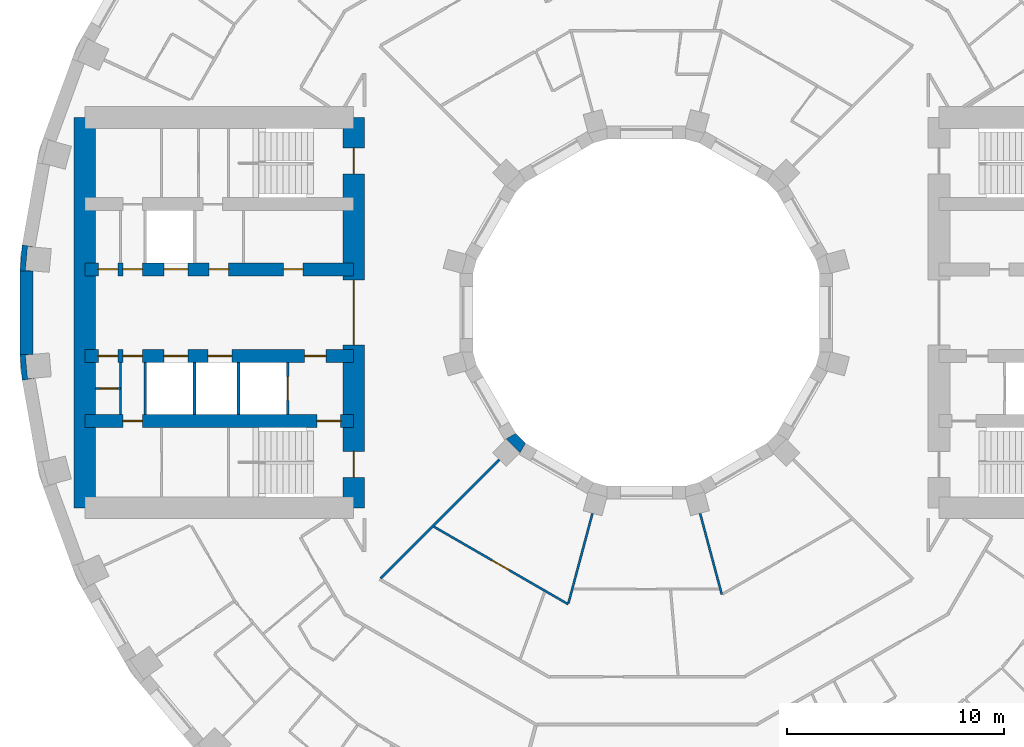
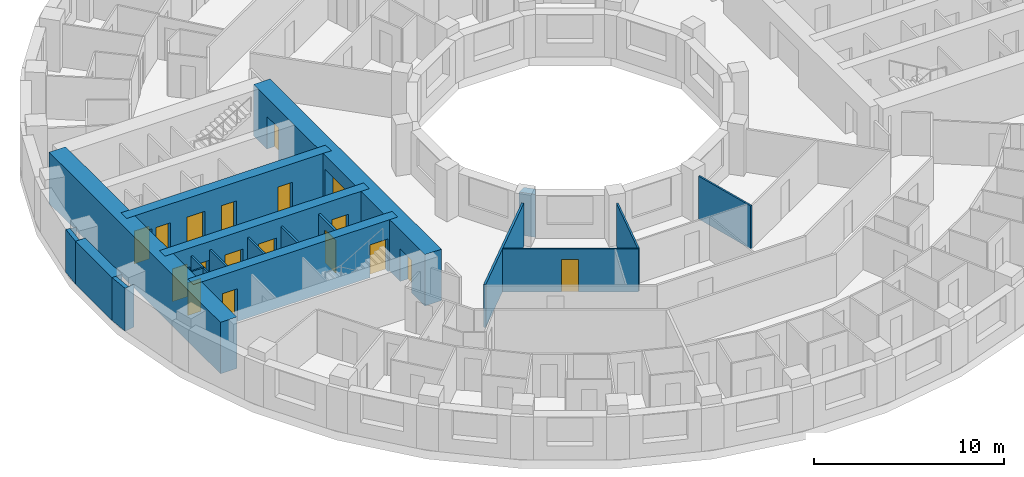
# One storey, part 4 of 14: 19 walls, 18 doors, 18 openings.
"""IFC4 building model written with IfcOpenShell, lengths in metres."""

from ifc_helpers import new_model, si_unit, direction, frame, frame_2d, origin, place, context, subcontext, project, spatial, polyline, rectangle, outline, extrude, material, layer, layer_set, type_object, element, fill, save


model = new_model("IFC4")

# Units and contexts
model_context = context("Model", 3, precision=1e-05, world=origin(), true_north=direction((0.0, 1.0)))
body_context = subcontext(model_context, "Body", "Model", "MODEL_VIEW")
ifc_project = project(units=[si_unit("LENGTHUNIT", "METRE"), si_unit("AREAUNIT", "SQUARE_METRE"), si_unit("VOLUMEUNIT", "CUBIC_METRE"), si_unit("PLANEANGLEUNIT", "RADIAN"), si_unit("MASSUNIT", "GRAM", prefix="KILO")], contexts=[model_context])

# Site, building, storey
site_placement = place(None, origin())
site = spatial("IfcSite", under=ifc_project, at=site_placement, CompositionType="ELEMENT")
building_placement = place(site_placement, origin())
building = spatial("IfcBuilding", under=site, at=building_placement, Name="Saqina Gate Tower", CompositionType="ELEMENT")
storey_placement = place(building_placement, frame((0.0, 0.0, 52.699951171875)))
storey = spatial("IfcBuildingStorey", under=building, at=storey_placement, Name="L14", CompositionType="ELEMENT", Elevation=52.699951171875)

# Walls
ifc_material_1 = material(Name="Brick masonry (red)", Category="masonry")
wall_type_1 = type_object("IfcWallType", Name="BRICK PIER COPING RED", PredefinedType="SOLIDWALL", material=ifc_material_1)
wall_1_placement = place(storey_placement, origin())
element("IfcWall", 1, at=wall_1_placement, inside=storey, type_object=wall_type_1, Name="Pier cap L14 column 18", PredefinedType="SOLIDWALL", context=body_context, shape_type="SweptSolid", body=[
    extrude(outline(polyline([(-28.78466796875, 3.122802734375), (-28.8896484375, 1.9228515625), (-28.28955078125, 1.9228515625), (-28.638671875, 1.95361328125), (-28.54296875, 3.04931640625), (-28.19384765625, 3.018798828125), (-28.78466796875, 3.122802734375)])), origin(), (0.0, 0.0, 1.0), 2.75),
])
wall_2_placement = place(storey_placement, origin())
element("IfcWall", 2, at=wall_2_placement, inside=storey, type_object=wall_type_1, Name="Pier cap L14 column 19", PredefinedType="SOLIDWALL", context=body_context, shape_type="SweptSolid", body=[
    extrude(outline(polyline([(-28.8896484375, -1.9228515625), (-28.78466796875, -3.122802734375), (-28.19384765625, -3.018798828125), (-28.54296875, -3.04931640625), (-28.638671875, -1.95361328125), (-28.28955078125, -1.9228515625), (-28.8896484375, -1.9228515625)])), origin(), (0.0, 0.0, 1.0), 2.75),
])
ifc_material_2 = material(Name="Gypsum board on steel studs", Category="steel")
ifc_layer_1 = layer(ifc_material_2, 0.10009765625)
ifc_layer_set_1 = layer_set([ifc_layer_1], Name="CORE PARTITION")
wall_type_2 = type_object("IfcWallType", Name="CORE PARTITION", PredefinedType="PARTITIONING", material=ifc_layer_set_1)
wall_3_placement = place(storey_placement, frame((-24.260009765625, -4.699951171875, 0.0), z_axis=(0.0, 0.0, 1.0), x_axis=(0.0, 1.0, 0.0)))
element("IfcWall", 3, at=wall_3_placement, inside=storey, type_object=wall_type_2, Name="L14-CP-W09", PredefinedType="PARTITIONING", context=body_context, shape_type="SweptSolid", body=[
    extrude(rectangle(XDim=2.39990234375, YDim=0.10009765625, at=frame_2d((1.199951171875, 0.0))), origin(), (0.0, 0.0, 1.0), 2.75),
])

# Wall, opening, door
wall_4_placement = place(storey_placement, frame((-24.260009765625, -3.5, 0.0), z_axis=(0.0, 0.0, 1.0), x_axis=(-1.0, 0.0, 0.0)))
wall_4 = element("IfcWall", 4, at=wall_4_placement, inside=storey, type_object=wall_type_2, Name="L14-CP-W10", PredefinedType="PARTITIONING", context=body_context, shape_type="SweptSolid", body=[
    extrude(rectangle(XDim=1.139892578125, YDim=0.10009765625, at=frame_2d((0.56982421875, 0.0))), origin(), (0.0, 0.0, 1.0), 2.75),
])
opening_1_placement = place(wall_4_placement, frame((0.14990234375, 0.0, 0.0)))
opening_1 = element("IfcOpeningElement", 5, at=opening_1_placement, cuts=wall_4, Name="Opening G03-D117", PredefinedType="OPENING", context=body_context, shape_type="SweptSolid", body=[
    extrude(rectangle(XDim=0.800048828125, YDim=2.10009765625, at=frame_2d((0.39990234375, 1.050048828125))), frame((0.0, 0.06201171875, 0.0), z_axis=(0.0, -1.0, 0.0), x_axis=(1.0, 0.0, 0.0)), (0.0, 0.0, 1.0), 0.1240234375),
])
ifc_material_3 = material(Name="Steel-framed fire door leaf, EI 60", Category="steel")
door_type_1 = type_object("IfcDoorType", Name="SERVICE ROOM DOOR 800", OperationType="SINGLE_SWING_LEFT", PredefinedType="DOOR", material=ifc_material_3)
door_1_placement = place(opening_1_placement, origin())
door_1 = element("IfcDoor", 6, at=door_1_placement, inside=storey, type_object=door_type_1, Name="L14-CD-W28", OperationType="SINGLE_SWING_RIGHT", OverallHeight=2.10009765625, OverallWidth=0.800048828125, PredefinedType="DOOR", context=body_context, shape_type="SweptSolid", body=[
    extrude(rectangle(XDim=0.800048828125, YDim=2.10009765625, at=frame_2d((0.39990234375, 1.050048828125))), frame((0.0, 0.02490234375, 0.0), z_axis=(0.0, -1.0, 0.0), x_axis=(1.0, 0.0, 0.0)), (0.0, 0.0, 1.0), 0.050048828125),
])
fill(opening_1, door_1)

# Walls
ifc_material_4 = material(Name="Glazed ceramic tile (white)", Category="ceramic")
ifc_layer_2 = layer(ifc_material_4, 0.60009765625)
ifc_layer_set_2 = layer_set([ifc_layer_2], Name="FW-TILE-WH")
wall_type_3 = type_object("IfcWallType", Name="FW-TILE-WH", PredefinedType="SOLIDWALL", material=ifc_layer_set_2)
wall_5_placement = place(storey_placement, frame((-28.589599609375, 1.9228515625, 0.0), z_axis=(0.0, 0.0, 1.0), x_axis=(0.0, -1.0, 0.0)))
element("IfcWall", 7, at=wall_5_placement, inside=storey, type_object=wall_type_3, Name="Facade wall L14 facet 18", PredefinedType="SOLIDWALL", context=body_context, shape_type="SweptSolid", body=[
    extrude(rectangle(XDim=3.845703125, YDim=0.60009765625, at=frame_2d((1.9228515625, 0.0))), origin(), (0.0, 0.0, 1.0), 2.75),
])
ifc_material_5 = material(Name="Gypsum board on steel studs, 100 mm", Category="steel")
ifc_layer_3 = layer(ifc_material_5, 0.10009765625)
ifc_layer_set_3 = layer_set([ifc_layer_3], Name="PARTITION 100")
wall_type_4 = type_object("IfcWallType", Name="PARTITION 100", PredefinedType="PARTITIONING", material=ifc_layer_set_3)
wall_6_placement = place(storey_placement, frame((2.482666015625, -9.265380859375, 0.0), z_axis=(0.0, 0.0, 1.0), x_axis=(0.258711886123, -0.96595453308, 0.0)))
element("IfcWall", 8, at=wall_6_placement, inside=storey, type_object=wall_type_4, Name="PARTITION PW3-09", PredefinedType="PARTITIONING", context=body_context, shape_type="SweptSolid", body=[
    extrude(rectangle(XDim=3.8662109375, YDim=0.10009765625, at=frame_2d((1.93310546875, 0.0))), origin(), (0.0, 0.0, 1.0), 2.75),
])

# Wall, opening, door
wall_7_placement = place(storey_placement, frame((-9.7919921875, -9.877197265625, 0.0), z_axis=(0.0, 0.0, 1.0), x_axis=(0.866018300902, -0.500012302351, 0.0)))
wall_7 = element("IfcWall", 9, at=wall_7_placement, inside=storey, type_object=wall_type_4, Name="PARTITION PW3-47", PredefinedType="PARTITIONING", context=body_context, shape_type="SweptSolid", body=[
    extrude(rectangle(XDim=7.145263671875, YDim=0.10009765625, at=frame_2d((3.57275390625, 0.0))), origin(), (0.0, 0.0, 1.0), 2.75),
])
opening_2_placement = place(wall_7_placement, frame((3.09130859375, 0.0, 0.0)))
opening_2 = element("IfcOpeningElement", 10, at=opening_2_placement, cuts=wall_7, Name="Opening G03-D50", PredefinedType="OPENING", context=body_context, shape_type="SweptSolid", body=[
    extrude(rectangle(XDim=0.89990234375, YDim=2.10009765625, at=frame_2d((0.449951171875, 1.050048828125))), frame((0.0, 0.06201171875, 0.0), z_axis=(0.0, -1.0, 0.0), x_axis=(1.0, 0.0, 0.0)), (0.0, 0.0, 1.0), 0.1240234375),
])
ifc_material_6 = material(Name="Timber door leaf, 900 mm", Category="wood")
door_type_2 = type_object("IfcDoorType", Name="DOOR 900 TIMBER", OperationType="SINGLE_SWING_LEFT", PredefinedType="DOOR", material=ifc_material_6)
door_2_placement = place(opening_2_placement, origin())
door_2 = element("IfcDoor", 11, at=door_2_placement, inside=storey, type_object=door_type_2, Name="DOOR G03-D50", OperationType="SINGLE_SWING_LEFT", OverallHeight=2.10009765625, OverallWidth=0.89990234375, PredefinedType="DOOR", context=body_context, shape_type="SweptSolid", body=[
    extrude(rectangle(XDim=0.89990234375, YDim=2.10009765625, at=frame_2d((0.449951171875, 1.050048828125))), frame((0.0, 0.02490234375, 0.0), z_axis=(0.0, -1.0, 0.0), x_axis=(1.0, 0.0, 0.0)), (0.0, 0.0, 1.0), 0.050048828125),
])
fill(opening_2, door_2)

# Walls
wall_8_placement = place(storey_placement, frame((-3.591064453125, -13.401611328125, 0.0), z_axis=(0.0, 0.0, 1.0), x_axis=(0.258212632103, 0.966088110175, 0.0)))
element("IfcWall", 12, at=wall_8_placement, inside=storey, type_object=wall_type_4, Name="PARTITION PW3-118", PredefinedType="PARTITIONING", context=body_context, shape_type="SweptSolid", body=[
    extrude(rectangle(XDim=4.2822265625, YDim=0.10009765625, at=frame_2d((2.14111328125, 0.0))), origin(), (0.0, 0.0, 1.0), 2.75),
])
ifc_material_7 = material(Name="Gypsum board on steel studs, 125 mm, fire rated", Category="steel")
ifc_layer_4 = layer(ifc_material_7, 0.125)
ifc_layer_set_4 = layer_set([ifc_layer_4], Name="PARTITION EI 30 125")
wall_type_5 = type_object("IfcWallType", Name="PARTITION EI 30 125", PredefinedType="PARTITIONING", material=ifc_layer_set_4)
wall_9_placement = place(storey_placement, frame((-12.25390625, -12.25390625, 0.0), z_axis=(0.0, 0.0, 1.0), x_axis=(0.707106781187, 0.707106781187, 0.0)))
element("IfcWall", 13, at=wall_9_placement, inside=storey, type_object=wall_type_5, Name="PARTITION PW1-47", PredefinedType="PARTITIONING", context=body_context, shape_type="SweptSolid", body=[
    extrude(rectangle(XDim=7.737548828125, YDim=0.125, at=frame_2d((3.86865234375, 0.0))), origin(), (0.0, 0.0, 1.0), 2.75),
])

# Wall, opening, door
ifc_material_8 = material(Name="Autoclaved aerated concrete block", Category="concrete")
ifc_layer_5 = layer(ifc_material_8, 0.1201171875)
ifc_layer_set_5 = layer_set([ifc_layer_5], Name="SHAFT PARTITION")
wall_type_6 = type_object("IfcWallType", Name="SHAFT PARTITION", PredefinedType="PARTITIONING", material=ifc_layer_set_5)
wall_10_placement = place(storey_placement, frame((-16.530029296875, -4.699951171875, 0.0), z_axis=(0.0, 0.0, 1.0), x_axis=(0.0, 1.0, 0.0)))
wall_10 = element("IfcWall", 14, at=wall_10_placement, inside=storey, type_object=wall_type_6, Name="L14-CP-W05", PredefinedType="PARTITIONING", context=body_context, shape_type="SweptSolid", body=[
    extrude(rectangle(XDim=2.39990234375, YDim=0.1201171875, at=frame_2d((1.199951171875, 0.0))), origin(), (0.0, 0.0, 1.0), 2.75),
])
opening_3_placement = place(wall_10_placement, frame((0.64990234375, 0.0, 0.0)))
opening_3 = element("IfcOpeningElement", 15, at=opening_3_placement, cuts=wall_10, Name="Opening G03-LD6", PredefinedType="OPENING", context=body_context, shape_type="SweptSolid", body=[
    extrude(rectangle(XDim=1.10009765625, YDim=2.10009765625, at=frame_2d((0.550048828125, 1.050048828125))), frame((0.0, 0.072021484375, 0.0), z_axis=(0.0, -1.0, 0.0), x_axis=(1.0, 0.0, 0.0)), (0.0, 0.0, 1.0), 0.14404296875),
])
ifc_material_9 = material(Name="Stainless steel", Category="steel")
door_type_3 = type_object("IfcDoorType", Name="LANDING DOOR", OperationType="DOUBLE_DOOR_SLIDING", PredefinedType="DOOR", material=ifc_material_9)
door_3_placement = place(opening_3_placement, origin())
door_3 = element("IfcDoor", 16, at=door_3_placement, inside=storey, type_object=door_type_3, Name="LANDING DOOR FF2", OperationType="DOUBLE_DOOR_SLIDING", OverallHeight=2.10009765625, OverallWidth=1.10009765625, PredefinedType="DOOR", context=body_context, shape_type="SweptSolid", body=[
    extrude(rectangle(XDim=1.10009765625, YDim=2.10009765625, at=frame_2d((0.550048828125, 1.050048828125))), frame((0.0, 0.02490234375, 0.0), z_axis=(0.0, -1.0, 0.0), x_axis=(1.0, 0.0, 0.0)), (0.0, 0.0, 1.0), 0.050048828125),
])
fill(opening_3, door_3)

# Walls
for number, where, z_axis, x_axis, name in (
    (17, (-18.81005859375, -4.699951171875, 0.0), (0.0, 0.0, 1.0), (0.0, 1.0, 0.0), "L14-CP-W06"),
    (18, (-20.840087890625, -4.699951171875, 0.0), (0.0, 0.0, 1.0), (0.0, 1.0, 0.0), "L14-CP-W07"),
    (19, (-23.1201171875, -4.699951171875, 0.0), (0.0, 0.0, 1.0), (0.0, 1.0, 0.0), "L14-CP-W08"),
):
    element("IfcWall", number, at=place(storey_placement, frame(where, z_axis=z_axis, x_axis=x_axis)), inside=storey, type_object=wall_type_6, Name=name, PredefinedType="PARTITIONING", context=body_context, shape_type="SweptSolid", body=[
        extrude(rectangle(XDim=2.39990234375, YDim=0.1201171875, at=frame_2d((1.199951171875, 0.0))), origin(), (0.0, 0.0, 1.0), 2.75),
    ])

# Wall, openings, doors
ifc_material_10 = material(Name="Concrete C70/85", Category="concrete")
ifc_layer_6 = layer(ifc_material_10, 0.60009765625)
ifc_layer_set_6 = layer_set([ifc_layer_6], Name="Concrete C70/85")
wall_type_7 = type_object("IfcWallType", Name="STR-CORE WALL-A-I", PredefinedType="SHEAR", material=ifc_layer_set_6)
wall_11_placement = place(storey_placement, frame((-13.5, -5.0, 0.0), z_axis=(0.0, 0.0, 1.0), x_axis=(-1.0, 0.0, 0.0)))
wall_11 = element("IfcWall", 20, at=wall_11_placement, inside=storey, type_object=wall_type_7, Name="CORE WALL L14 W-X2", PredefinedType="SHEAR", context=body_context, shape_type="SweptSolid", body=[
    extrude(rectangle(XDim=12.39990234375, YDim=0.60009765625, at=frame_2d((6.199951171875, 0.0))), origin(), (0.0, 0.0, 1.0), 3.300048828125),
])
opening_4_placement = place(wall_11_placement, frame((9.739990234375, 0.0, 0.0)))
opening_4 = element("IfcOpeningElement", 21, at=opening_4_placement, cuts=wall_11, Name="Opening G03-D119", PredefinedType="OPENING", context=body_context, shape_type="SweptSolid", body=[
    extrude(rectangle(XDim=0.89990234375, YDim=2.10009765625, at=frame_2d((0.449951171875, 1.050048828125))), frame((0.0, 0.31201171875, 0.0), z_axis=(0.0, -1.0, 0.0), x_axis=(1.0, 0.0, 0.0)), (0.0, 0.0, 1.0), 0.6240234375),
])
opening_5_placement = place(wall_11_placement, frame((0.60009765625, 0.0, 0.0)))
opening_5 = element("IfcOpeningElement", 22, at=opening_5_placement, cuts=wall_11, Name="Opening G03-D120", PredefinedType="OPENING", context=body_context, shape_type="SweptSolid", body=[
    extrude(rectangle(XDim=1.10009765625, YDim=2.10009765625, at=frame_2d((0.550048828125, 1.050048828125))), frame((0.0, 0.31201171875, 0.0), z_axis=(0.0, -1.0, 0.0), x_axis=(1.0, 0.0, 0.0)), (0.0, 0.0, 1.0), 0.6240234375),
])
ifc_material_11 = material(Name="Steel", Category="steel")
door_type_4 = type_object("IfcDoorType", Name="FIRE LOBBY DOOR EI 60 WIDE", OperationType="SINGLE_SWING_LEFT", PredefinedType="DOOR", material=ifc_material_11)
door_4_placement = place(opening_5_placement, origin())
door_4 = element("IfcDoor", 23, at=door_4_placement, inside=storey, type_object=door_type_4, Name="L14-CD-W31", OperationType="SINGLE_SWING_LEFT", OverallHeight=2.10009765625, OverallWidth=1.10009765625, PredefinedType="DOOR", context=body_context, shape_type="SweptSolid", body=[
    extrude(rectangle(XDim=1.10009765625, YDim=2.10009765625, at=frame_2d((0.550048828125, 1.050048828125))), frame((0.0, 0.02490234375, 0.0), z_axis=(0.0, -1.0, 0.0), x_axis=(1.0, 0.0, 0.0)), (0.0, 0.0, 1.0), 0.050048828125),
])
fill(opening_5, door_4)
ifc_material_12 = material(Name="Steel-framed fire door leaf, EI 60", Category="steel")
door_type_5 = type_object("IfcDoorType", Name="SERVICE ROOM DOOR 900", OperationType="SINGLE_SWING_LEFT", PredefinedType="DOOR", material=ifc_material_12)
door_5_placement = place(opening_4_placement, origin())
door_5 = element("IfcDoor", 24, at=door_5_placement, inside=storey, type_object=door_type_5, Name="L14-CD-W30", OperationType="SINGLE_SWING_RIGHT", OverallHeight=2.10009765625, OverallWidth=0.89990234375, PredefinedType="DOOR", context=body_context, shape_type="SweptSolid", body=[
    extrude(rectangle(XDim=0.89990234375, YDim=2.10009765625, at=frame_2d((0.449951171875, 1.050048828125))), frame((0.0, 0.02490234375, 0.0), z_axis=(0.0, -1.0, 0.0), x_axis=(1.0, 0.0, 0.0)), (0.0, 0.0, 1.0), 0.050048828125),
])
fill(opening_4, door_5)

wall_12_placement = place(storey_placement, frame((-13.5, 2.0, 0.0), z_axis=(0.0, 0.0, 1.0), x_axis=(-1.0, 0.0, 0.0)))
wall_12 = element("IfcWall", 25, at=wall_12_placement, inside=storey, type_object=wall_type_7, Name="CORE WALL L14 W-L1", PredefinedType="SHEAR", context=body_context, shape_type="SweptSolid", body=[
    extrude(rectangle(XDim=12.39990234375, YDim=0.60009765625, at=frame_2d((6.199951171875, 0.0))), origin(), (0.0, 0.0, 1.0), 3.300048828125),
])
opening_6_placement = place(wall_12_placement, frame((7.64990234375, 0.0, 0.0)))
opening_6 = element("IfcOpeningElement", 26, at=opening_6_placement, cuts=wall_12, Name="Opening G03-LD5", PredefinedType="OPENING", context=body_context, shape_type="SweptSolid", body=[
    extrude(rectangle(XDim=1.10009765625, YDim=2.10009765625, at=frame_2d((0.550048828125, 1.050048828125))), frame((0.0, 0.31201171875, 0.0), z_axis=(0.0, -1.0, 0.0), x_axis=(1.0, 0.0, 0.0)), (0.0, 0.0, 1.0), 0.6240234375),
])
opening_7_placement = place(wall_12_placement, frame((2.34130859375, 0.0, 0.0)))
opening_7 = element("IfcOpeningElement", 27, at=opening_7_placement, cuts=wall_12, Name="Opening G03-D107", PredefinedType="OPENING", context=body_context, shape_type="SweptSolid", body=[
    extrude(rectangle(XDim=0.89990234375, YDim=2.10009765625, at=frame_2d((0.449951171875, 1.050048828125))), frame((0.0, 0.31201171875, 0.0), z_axis=(0.0, -1.0, 0.0), x_axis=(1.0, 0.0, 0.0)), (0.0, 0.0, 1.0), 0.6240234375),
])
opening_8_placement = place(wall_12_placement, frame((5.761474609375, 0.0, 0.0)))
opening_8 = element("IfcOpeningElement", 28, at=opening_8_placement, cuts=wall_12, Name="Opening G03-D108", PredefinedType="OPENING", context=body_context, shape_type="SweptSolid", body=[
    extrude(rectangle(XDim=0.89990234375, YDim=2.10009765625, at=frame_2d((0.449951171875, 1.050048828125))), frame((0.0, 0.31201171875, 0.0), z_axis=(0.0, -1.0, 0.0), x_axis=(1.0, 0.0, 0.0)), (0.0, 0.0, 1.0), 0.6240234375),
])
opening_9_placement = place(wall_12_placement, frame((9.739990234375, 0.0, 0.0)))
opening_9 = element("IfcOpeningElement", 29, at=opening_9_placement, cuts=wall_12, Name="Opening G03-D109", PredefinedType="OPENING", context=body_context, shape_type="SweptSolid", body=[
    extrude(rectangle(XDim=0.89990234375, YDim=2.10009765625, at=frame_2d((0.449951171875, 1.050048828125))), frame((0.0, 0.31201171875, 0.0), z_axis=(0.0, -1.0, 0.0), x_axis=(1.0, 0.0, 0.0)), (0.0, 0.0, 1.0), 0.6240234375),
])
opening_10_placement = place(wall_12_placement, frame((10.8798828125, 0.0, 0.0)))
opening_10 = element("IfcOpeningElement", 30, at=opening_10_placement, cuts=wall_12, Name="Opening G03-D110", PredefinedType="OPENING", context=body_context, shape_type="SweptSolid", body=[
    extrude(rectangle(XDim=0.89990234375, YDim=2.10009765625, at=frame_2d((0.449951171875, 1.050048828125))), frame((0.0, 0.31201171875, 0.0), z_axis=(0.0, -1.0, 0.0), x_axis=(1.0, 0.0, 0.0)), (0.0, 0.0, 1.0), 0.6240234375),
])
door_6_placement = place(opening_6_placement, origin())
door_6 = element("IfcDoor", 31, at=door_6_placement, inside=storey, type_object=door_type_3, Name="LANDING DOOR LR4", OperationType="DOUBLE_DOOR_SLIDING", OverallHeight=2.10009765625, OverallWidth=1.10009765625, PredefinedType="DOOR", context=body_context, shape_type="SweptSolid", body=[
    extrude(rectangle(XDim=1.10009765625, YDim=2.10009765625, at=frame_2d((0.550048828125, 1.050048828125))), frame((0.0, 0.02490234375, 0.0), z_axis=(0.0, -1.0, 0.0), x_axis=(1.0, 0.0, 0.0)), (0.0, 0.0, 1.0), 0.050048828125),
])
fill(opening_6, door_6)
door_7_placement = place(opening_7_placement, frame((0.89990234375, 0.0, 0.0), z_axis=(0.0, 0.0, 1.0), x_axis=(-1.0, 0.0, 0.0)))
door_7 = element("IfcDoor", 32, at=door_7_placement, inside=storey, type_object=door_type_5, Name="L14-CD-W18", OperationType="SINGLE_SWING_RIGHT", OverallHeight=2.10009765625, OverallWidth=0.89990234375, PredefinedType="DOOR", context=body_context, shape_type="SweptSolid", body=[
    extrude(rectangle(XDim=0.89990234375, YDim=2.10009765625, at=frame_2d((0.449951171875, 1.050048828125))), frame((0.0, 0.02490234375, 0.0), z_axis=(0.0, -1.0, 0.0), x_axis=(1.0, 0.0, 0.0)), (0.0, 0.0, 1.0), 0.050048828125),
])
fill(opening_7, door_7)
door_8_placement = place(opening_8_placement, frame((0.89990234375, 0.0, 0.0), z_axis=(0.0, 0.0, 1.0), x_axis=(-1.0, 0.0, 0.0)))
door_8 = element("IfcDoor", 33, at=door_8_placement, inside=storey, type_object=door_type_5, Name="L14-CD-W19", OperationType="SINGLE_SWING_LEFT", OverallHeight=2.10009765625, OverallWidth=0.89990234375, PredefinedType="DOOR", context=body_context, shape_type="SweptSolid", body=[
    extrude(rectangle(XDim=0.89990234375, YDim=2.10009765625, at=frame_2d((0.449951171875, 1.050048828125))), frame((0.0, 0.02490234375, 0.0), z_axis=(0.0, -1.0, 0.0), x_axis=(1.0, 0.0, 0.0)), (0.0, 0.0, 1.0), 0.050048828125),
])
fill(opening_8, door_8)
door_9_placement = place(opening_9_placement, frame((0.89990234375, 0.0, 0.0), z_axis=(0.0, 0.0, 1.0), x_axis=(-1.0, 0.0, 0.0)))
door_9 = element("IfcDoor", 34, at=door_9_placement, inside=storey, type_object=door_type_5, Name="L14-CD-W20", OperationType="SINGLE_SWING_RIGHT", OverallHeight=2.10009765625, OverallWidth=0.89990234375, PredefinedType="DOOR", context=body_context, shape_type="SweptSolid", body=[
    extrude(rectangle(XDim=0.89990234375, YDim=2.10009765625, at=frame_2d((0.449951171875, 1.050048828125))), frame((0.0, 0.02490234375, 0.0), z_axis=(0.0, -1.0, 0.0), x_axis=(1.0, 0.0, 0.0)), (0.0, 0.0, 1.0), 0.050048828125),
])
fill(opening_9, door_9)
door_10_placement = place(opening_10_placement, frame((0.89990234375, 0.0, 0.0), z_axis=(0.0, 0.0, 1.0), x_axis=(-1.0, 0.0, 0.0)))
door_10 = element("IfcDoor", 35, at=door_10_placement, inside=storey, type_object=door_type_5, Name="L14-CD-W21", OperationType="SINGLE_SWING_LEFT", OverallHeight=2.10009765625, OverallWidth=0.89990234375, PredefinedType="DOOR", context=body_context, shape_type="SweptSolid", body=[
    extrude(rectangle(XDim=0.89990234375, YDim=2.10009765625, at=frame_2d((0.449951171875, 1.050048828125))), frame((0.0, 0.02490234375, 0.0), z_axis=(0.0, -1.0, 0.0), x_axis=(1.0, 0.0, 0.0)), (0.0, 0.0, 1.0), 0.050048828125),
])
fill(opening_10, door_10)

wall_13_placement = place(storey_placement, frame((-13.5, -2.0, 0.0), z_axis=(0.0, 0.0, 1.0), x_axis=(-1.0, 0.0, 0.0)))
wall_13 = element("IfcWall", 36, at=wall_13_placement, inside=storey, type_object=wall_type_7, Name="CORE WALL L14 W-L2", PredefinedType="SHEAR", context=body_context, shape_type="SweptSolid", body=[
    extrude(rectangle(XDim=12.39990234375, YDim=0.60009765625, at=frame_2d((6.199951171875, 0.0))), origin(), (0.0, 0.0, 1.0), 3.300048828125),
])
opening_11_placement = place(wall_13_placement, frame((5.6201171875, 0.0, 0.0)))
opening_11 = element("IfcOpeningElement", 37, at=opening_11_placement, cuts=wall_13, Name="Opening G03-LD7", PredefinedType="OPENING", context=body_context, shape_type="SweptSolid", body=[
    extrude(rectangle(XDim=1.10009765625, YDim=2.10009765625, at=frame_2d((0.550048828125, 1.050048828125))), frame((0.0, 0.31201171875, 0.0), z_axis=(0.0, -1.0, 0.0), x_axis=(1.0, 0.0, 0.0)), (0.0, 0.0, 1.0), 0.6240234375),
])
opening_12_placement = place(wall_13_placement, frame((7.64990234375, 0.0, 0.0)))
opening_12 = element("IfcOpeningElement", 38, at=opening_12_placement, cuts=wall_13, Name="Opening G03-LD8", PredefinedType="OPENING", context=body_context, shape_type="SweptSolid", body=[
    extrude(rectangle(XDim=1.10009765625, YDim=2.10009765625, at=frame_2d((0.550048828125, 1.050048828125))), frame((0.0, 0.31201171875, 0.0), z_axis=(0.0, -1.0, 0.0), x_axis=(1.0, 0.0, 0.0)), (0.0, 0.0, 1.0), 0.6240234375),
])
opening_13_placement = place(wall_13_placement, frame((1.264892578125, 0.0, 0.0)))
opening_13 = element("IfcOpeningElement", 39, at=opening_13_placement, cuts=wall_13, Name="Opening G03-D111", PredefinedType="OPENING", context=body_context, shape_type="SweptSolid", body=[
    extrude(rectangle(XDim=1.0, YDim=2.10009765625, at=frame_2d((0.5, 1.050048828125))), frame((0.0, 0.31201171875, 0.0), z_axis=(0.0, -1.0, 0.0), x_axis=(1.0, 0.0, 0.0)), (0.0, 0.0, 1.0), 0.6240234375),
])
opening_14_placement = place(wall_13_placement, frame((9.739990234375, 0.0, 0.0)))
opening_14 = element("IfcOpeningElement", 40, at=opening_14_placement, cuts=wall_13, Name="Opening G03-D112", PredefinedType="OPENING", context=body_context, shape_type="SweptSolid", body=[
    extrude(rectangle(XDim=0.89990234375, YDim=2.10009765625, at=frame_2d((0.449951171875, 1.050048828125))), frame((0.0, 0.31201171875, 0.0), z_axis=(0.0, -1.0, 0.0), x_axis=(1.0, 0.0, 0.0)), (0.0, 0.0, 1.0), 0.6240234375),
])
opening_15_placement = place(wall_13_placement, frame((10.8798828125, 0.0, 0.0)))
opening_15 = element("IfcOpeningElement", 41, at=opening_15_placement, cuts=wall_13, Name="Opening G03-D113", PredefinedType="OPENING", context=body_context, shape_type="SweptSolid", body=[
    extrude(rectangle(XDim=0.89990234375, YDim=2.10009765625, at=frame_2d((0.449951171875, 1.050048828125))), frame((0.0, 0.31201171875, 0.0), z_axis=(0.0, -1.0, 0.0), x_axis=(1.0, 0.0, 0.0)), (0.0, 0.0, 1.0), 0.6240234375),
])
ifc_material_13 = material(Name="Steel", Category="steel")
door_type_6 = type_object("IfcDoorType", Name="FIRE LOBBY DOOR EI 60", OperationType="SINGLE_SWING_LEFT", PredefinedType="DOOR", material=ifc_material_13)
door_11_placement = place(opening_13_placement, frame((1.0, 0.0, 0.0), z_axis=(0.0, 0.0, 1.0), x_axis=(-1.0, 0.0, 0.0)))
door_11 = element("IfcDoor", 42, at=door_11_placement, inside=storey, type_object=door_type_6, Name="L14-CD-W22", OperationType="SINGLE_SWING_RIGHT", OverallHeight=2.10009765625, OverallWidth=1.0, PredefinedType="DOOR", context=body_context, shape_type="SweptSolid", body=[
    extrude(rectangle(XDim=1.0, YDim=2.10009765625, at=frame_2d((0.5, 1.050048828125))), frame((0.0, 0.02490234375, 0.0), z_axis=(0.0, -1.0, 0.0), x_axis=(1.0, 0.0, 0.0)), (0.0, 0.0, 1.0), 0.050048828125),
])
fill(opening_13, door_11)
door_12_placement = place(opening_11_placement, origin())
door_12 = element("IfcDoor", 43, at=door_12_placement, inside=storey, type_object=door_type_3, Name="LANDING DOOR LR6", OperationType="DOUBLE_DOOR_SLIDING", OverallHeight=2.10009765625, OverallWidth=1.10009765625, PredefinedType="DOOR", context=body_context, shape_type="SweptSolid", body=[
    extrude(rectangle(XDim=1.10009765625, YDim=2.10009765625, at=frame_2d((0.550048828125, 1.050048828125))), frame((0.0, 0.02490234375, 0.0), z_axis=(0.0, -1.0, 0.0), x_axis=(1.0, 0.0, 0.0)), (0.0, 0.0, 1.0), 0.050048828125),
])
fill(opening_11, door_12)
door_13_placement = place(opening_12_placement, origin())
door_13 = element("IfcDoor", 44, at=door_13_placement, inside=storey, type_object=door_type_3, Name="LANDING DOOR LR5", OperationType="DOUBLE_DOOR_SLIDING", OverallHeight=2.10009765625, OverallWidth=1.10009765625, PredefinedType="DOOR", context=body_context, shape_type="SweptSolid", body=[
    extrude(rectangle(XDim=1.10009765625, YDim=2.10009765625, at=frame_2d((0.550048828125, 1.050048828125))), frame((0.0, 0.02490234375, 0.0), z_axis=(0.0, -1.0, 0.0), x_axis=(1.0, 0.0, 0.0)), (0.0, 0.0, 1.0), 0.050048828125),
])
fill(opening_12, door_13)
door_14_placement = place(opening_14_placement, origin())
door_14 = element("IfcDoor", 45, at=door_14_placement, inside=storey, type_object=door_type_5, Name="L14-CD-W23", OperationType="SINGLE_SWING_LEFT", OverallHeight=2.10009765625, OverallWidth=0.89990234375, PredefinedType="DOOR", context=body_context, shape_type="SweptSolid", body=[
    extrude(rectangle(XDim=0.89990234375, YDim=2.10009765625, at=frame_2d((0.449951171875, 1.050048828125))), frame((0.0, 0.02490234375, 0.0), z_axis=(0.0, -1.0, 0.0), x_axis=(1.0, 0.0, 0.0)), (0.0, 0.0, 1.0), 0.050048828125),
])
fill(opening_14, door_14)
door_15_placement = place(opening_15_placement, origin())
door_15 = element("IfcDoor", 46, at=door_15_placement, inside=storey, type_object=door_type_5, Name="L14-CD-W24", OperationType="SINGLE_SWING_RIGHT", OverallHeight=2.10009765625, OverallWidth=0.89990234375, PredefinedType="DOOR", context=body_context, shape_type="SweptSolid", body=[
    extrude(rectangle(XDim=0.89990234375, YDim=2.10009765625, at=frame_2d((0.449951171875, 1.050048828125))), frame((0.0, 0.02490234375, 0.0), z_axis=(0.0, -1.0, 0.0), x_axis=(1.0, 0.0, 0.0)), (0.0, 0.0, 1.0), 0.050048828125),
])
fill(opening_15, door_15)

ifc_material_14 = material(Name="Concrete C70/85", Category="concrete")
ifc_layer_7 = layer(ifc_material_14, 1.0)
ifc_layer_set_7 = layer_set([ifc_layer_7], Name="Concrete C70/85")
wall_type_8 = type_object("IfcWallType", Name="STR-CORE WALL-A-O", PredefinedType="SHEAR", material=ifc_layer_set_7)
wall_14_placement = place(storey_placement, frame((-13.5, -9.0, 0.0), z_axis=(0.0, 0.0, 1.0), x_axis=(0.0, 1.0, 0.0)))
wall_14 = element("IfcWall", 47, at=wall_14_placement, inside=storey, type_object=wall_type_8, Name="CORE WALL L14 W-W1", PredefinedType="SHEAR", context=body_context, shape_type="SweptSolid", body=[
    extrude(rectangle(XDim=18.0, YDim=1.0, at=frame_2d((9.0, 0.0))), origin(), (0.0, 0.0, 1.0), 3.300048828125),
])
opening_16_placement = place(wall_14_placement, frame((15.39990234375, 0.0, 0.0)))
opening_16 = element("IfcOpeningElement", 48, at=opening_16_placement, cuts=wall_14, Name="Opening G03-D121", PredefinedType="OPENING", context=body_context, shape_type="SweptSolid", body=[
    extrude(rectangle(XDim=1.199951171875, YDim=2.10009765625, at=frame_2d((0.60009765625, 1.050048828125))), frame((0.0, 0.511962890625, 0.0), z_axis=(0.0, -1.0, 0.0), x_axis=(1.0, 0.0, 0.0)), (0.0, 0.0, 1.0), 1.02392578125),
])
opening_17_placement = place(wall_14_placement, frame((1.39990234375, 0.0, 0.0)))
opening_17 = element("IfcOpeningElement", 49, at=opening_17_placement, cuts=wall_14, Name="Opening G03-D122", PredefinedType="OPENING", context=body_context, shape_type="SweptSolid", body=[
    extrude(rectangle(XDim=1.199951171875, YDim=2.10009765625, at=frame_2d((0.60009765625, 1.050048828125))), frame((0.0, 0.511962890625, 0.0), z_axis=(0.0, -1.0, 0.0), x_axis=(1.0, 0.0, 0.0)), (0.0, 0.0, 1.0), 1.02392578125),
])
opening_18_placement = place(wall_14_placement, frame((7.5, 0.0, 0.0)))
opening_18 = element("IfcOpeningElement", 50, at=opening_18_placement, cuts=wall_14, Name="Opening G03-D123", PredefinedType="OPENING", context=body_context, shape_type="SweptSolid", body=[
    extrude(rectangle(XDim=3.0, YDim=2.39990234375, at=frame_2d((1.5, 1.199951171875))), frame((0.0, 0.511962890625, 0.0), z_axis=(0.0, -1.0, 0.0), x_axis=(1.0, 0.0, 0.0)), (0.0, 0.0, 1.0), 1.02392578125),
])
ifc_material_15 = material(Name="Steel", Category="steel")
door_type_7 = type_object("IfcDoorType", Name="FIRE DOOR EI 60", OperationType="SINGLE_SWING_LEFT", PredefinedType="DOOR", material=ifc_material_15)
door_16_placement = place(opening_16_placement, origin())
door_16 = element("IfcDoor", 51, at=door_16_placement, inside=storey, type_object=door_type_7, Name="L14-CD-W32", OperationType="SINGLE_SWING_RIGHT", OverallHeight=2.10009765625, OverallWidth=1.199951171875, PredefinedType="DOOR", context=body_context, shape_type="SweptSolid", body=[
    extrude(rectangle(XDim=1.199951171875, YDim=2.10009765625, at=frame_2d((0.60009765625, 1.050048828125))), frame((0.0, 0.02490234375, 0.0), z_axis=(0.0, -1.0, 0.0), x_axis=(1.0, 0.0, 0.0)), (0.0, 0.0, 1.0), 0.050048828125),
])
fill(opening_16, door_16)
door_17_placement = place(opening_17_placement, origin())
door_17 = element("IfcDoor", 52, at=door_17_placement, inside=storey, type_object=door_type_7, Name="L14-CD-W33", OperationType="SINGLE_SWING_LEFT", OverallHeight=2.10009765625, OverallWidth=1.199951171875, PredefinedType="DOOR", context=body_context, shape_type="SweptSolid", body=[
    extrude(rectangle(XDim=1.199951171875, YDim=2.10009765625, at=frame_2d((0.60009765625, 1.050048828125))), frame((0.0, 0.02490234375, 0.0), z_axis=(0.0, -1.0, 0.0), x_axis=(1.0, 0.0, 0.0)), (0.0, 0.0, 1.0), 0.050048828125),
])
fill(opening_17, door_17)
ifc_material_16 = material(Name="Steel and fire-resisting glass", Category="steel")
door_type_8 = type_object("IfcDoorType", Name="LOBBY SCREEN DOOR", OperationType="DOUBLE_DOOR_SLIDING", PredefinedType="DOOR", material=ifc_material_16)
door_18_placement = place(opening_18_placement, origin())
door_18 = element("IfcDoor", 53, at=door_18_placement, inside=storey, type_object=door_type_8, Name="L14-CD-W34", OperationType="DOUBLE_DOOR_SLIDING", OverallHeight=2.39990234375, OverallWidth=3.0, PredefinedType="DOOR", context=body_context, shape_type="SweptSolid", body=[
    extrude(rectangle(XDim=3.0, YDim=2.39990234375, at=frame_2d((1.5, 1.199951171875))), frame((0.0, 0.02490234375, 0.0), z_axis=(0.0, -1.0, 0.0), x_axis=(1.0, 0.0, 0.0)), (0.0, 0.0, 1.0), 0.050048828125),
])
fill(opening_18, door_18)

# Walls
wall_15_placement = place(storey_placement, frame((-25.89990234375, -9.0, 0.0), z_axis=(0.0, 0.0, 1.0), x_axis=(0.0, 1.0, 0.0)))
element("IfcWall", 54, at=wall_15_placement, inside=storey, type_object=wall_type_8, Name="CORE WALL L14 W-W2", PredefinedType="SHEAR", context=body_context, shape_type="SweptSolid", body=[
    extrude(rectangle(XDim=18.0, YDim=1.0, at=frame_2d((9.0, 0.0))), origin(), (0.0, 0.0, 1.0), 3.300048828125),
])
ifc_material_17 = material(Name="Glazed ceramic tile", Category="ceramic")
wall_type_9 = type_object("IfcWallType", Name="TILE PIER COPING", PredefinedType="SOLIDWALL", material=ifc_material_17)
wall_16_placement = place(storey_placement, origin())
element("IfcWall", 55, at=wall_16_placement, inside=storey, type_object=wall_type_9, Name="Well pier cap L14 column 8", PredefinedType="SOLIDWALL", context=body_context, shape_type="SweptSolid", body=[
    extrude(outline(polyline([(-6.45751953125, -5.821044921875), (-5.821044921875, -6.45751953125), (-5.569580078125, -6.02197265625), (-6.02197265625, -5.569580078125), (-6.45751953125, -5.821044921875)])), origin(), (0.0, 0.0, 1.0), 2.75),
])

save(model, "model.ifc")
